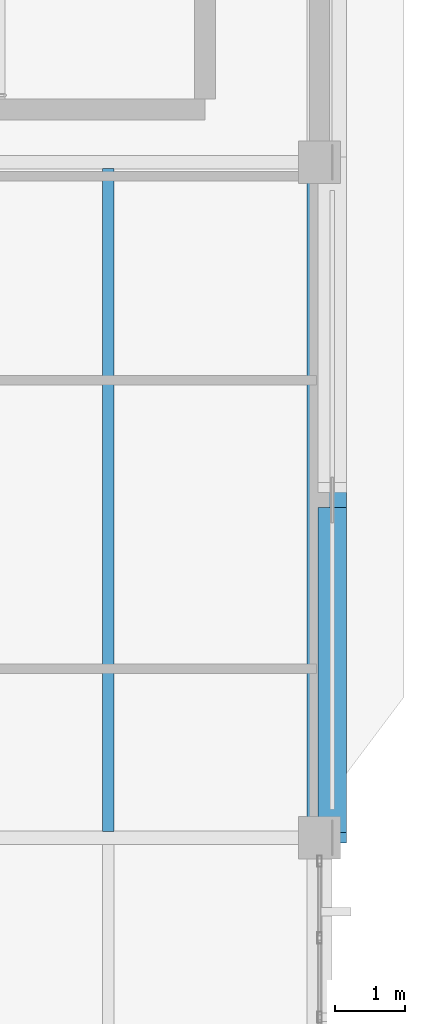
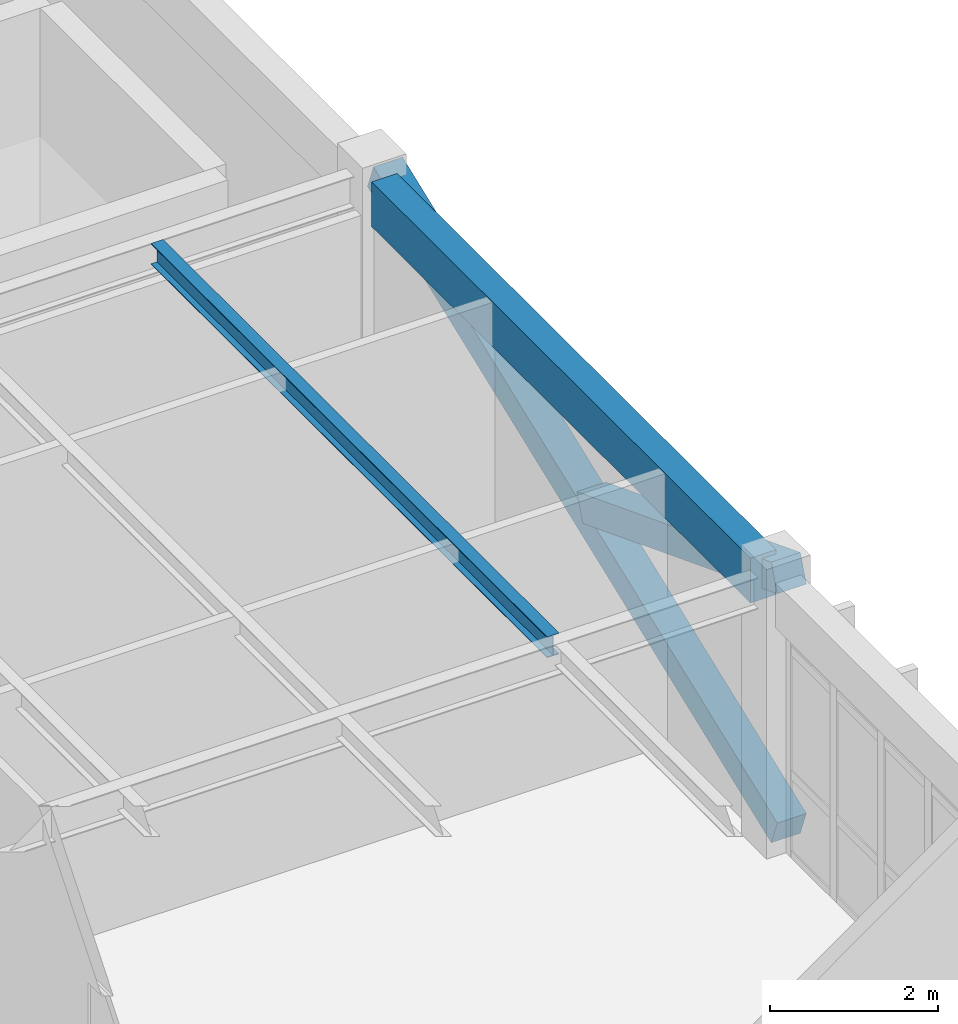
# One storey, part 15 of 37: 2 beams, 2 members.
"""IFC4 building model written with IfcOpenShell, lengths in metres."""

from ifc_helpers import new_model, si_unit, direction, frame, origin, origin_2d, place, context, subcontext, project, spatial, rectangle, i_section, extrude, material, material_profile, profile_set, type_object, element, save


model = new_model("IFC4")

# Units and contexts
model_context = context("Model", 3, precision=1e-05, world=origin(), true_north=direction((0.0, 1.0)))
body_context = subcontext(model_context, "Body", "Model", "MODEL_VIEW")
ifc_project = project(units=[si_unit("LENGTHUNIT", "METRE"), si_unit("AREAUNIT", "SQUARE_METRE"), si_unit("VOLUMEUNIT", "CUBIC_METRE"), si_unit("PLANEANGLEUNIT", "RADIAN"), si_unit("MASSUNIT", "GRAM", prefix="KILO")], contexts=[model_context])

# Site, building, storey
site_placement = place(None, origin())
site = spatial("IfcSite", under=ifc_project, at=site_placement, CompositionType="ELEMENT")
building_placement = place(site_placement, origin())
building = spatial("IfcBuilding", under=site, at=building_placement, Name="Pandanus Reach Market Hall", CompositionType="ELEMENT")
storey_placement = place(building_placement, frame((0.0, 0.0, 14.39990234375)))
storey = spatial("IfcBuildingStorey", under=building, at=storey_placement, Name="L03", CompositionType="ELEMENT", Elevation=14.39990234375)

# Beams
ifc_material_1 = material(Name="Concrete N40 (40 MPa)", Category="concrete")
ifc_material_profile_1 = material_profile(ifc_material_1, rectangle(XDim=0.35009765625, YDim=0.64990234375, at=origin_2d()), Name="RC350x650", Category="LoadBearing")
ifc_profile_set_1 = profile_set([ifc_material_profile_1], Name="Concrete N40 (40 MPa)")
beam_type_1 = type_object("IfcBeamType", Name="BM-RC350-E", PredefinedType="SPANDREL", material=ifc_profile_set_1)
beam_1_placement = place(storey_placement, frame((180.0, 57.89794921875, 3.635009765625), z_axis=(0.0, 1.0, 0.0), x_axis=(-1.0, 0.0, 0.0)))
element("IfcBeam", 1, at=beam_1_placement, inside=storey, type_object=beam_type_1, Name="Framing beam BM-RC350-E L03.572", PredefinedType="SPANDREL", context=body_context, shape_type="SweptSolid", body=[
    extrude(rectangle(XDim=0.35009765625, YDim=0.64990234375, at=origin_2d()), origin(), (0.0, 0.0, 1.0), 9.004150390625),
])
ifc_material_2 = material(Name="Steel Grade 350 (350 MPa)", Category="steel")
ifc_material_profile_2 = material_profile(ifc_material_2, i_section(OverallWidth=0.1650390625, OverallDepth=0.303955078125, WebThickness=0.006103515625, FlangeThickness=0.01025390625, at=origin_2d()), Name="310UB40.4", Category="LoadBearing")
ifc_profile_set_2 = profile_set([ifc_material_profile_2], Name="Steel Grade 350 (350 MPa)")
beam_type_2 = type_object("IfcBeamType", Name="JS-UB310-I", PredefinedType="JOIST", material=ifc_profile_set_2)
beam_2_placement = place(storey_placement, frame((177.0, 57.693115234375, 3.8076171875), z_axis=(0.0, 1.0, 0.0), x_axis=(-1.0, 0.0, 0.0)))
element("IfcBeam", 2, at=beam_2_placement, inside=storey, type_object=beam_type_2, Name="Secondary joist JS-UB310-I L03.609", PredefinedType="JOIST", context=body_context, shape_type="SweptSolid", body=[
    extrude(i_section(OverallWidth=0.1650390625, OverallDepth=0.303955078125, WebThickness=0.006103515625, FlangeThickness=0.01025390625, at=origin_2d()), origin(), (0.0, 0.0, 1.0), 9.413818359375),
])

# Members
ifc_material_3 = material(Name="Concrete N50 (50 MPa)", Category="concrete")
ifc_material_profile_3 = material_profile(ifc_material_3, rectangle(XDim=0.39990234375, YDim=0.39990234375, at=origin_2d()), Name="RC400x400", Category="LoadBearing")
ifc_profile_set_3 = profile_set([ifc_material_profile_3], Name="Concrete N50 (50 MPa)")
member_type = type_object("IfcMemberType", Name="VS-RC400-E", PredefinedType="STRUT", material=ifc_profile_set_3)
member_1_placement = place(storey_placement, frame((180.179931640625, 57.60009765625, 0.10009765625), z_axis=(0.0, 0.93309462138, 0.359630960225), x_axis=(-1.0, 0.0, 0.0)))
element("IfcMember", 3, at=member_1_placement, inside=storey, type_object=member_type, Name="Sculpted concrete diagrid rib 7", PredefinedType="STRUT", context=body_context, shape_type="SweptSolid", body=[
    extrude(rectangle(XDim=0.39990234375, YDim=0.39990234375, at=origin_2d()), origin(), (0.0, 0.0, 1.0), 10.2880859375),
])
member_2_placement = place(storey_placement, frame((180.179931640625, 62.219970703125, 2.02001953125), z_axis=(0.0, -0.933131925014, 0.359534157654), x_axis=(1.0, 0.0, 0.0)))
element("IfcMember", 4, at=member_2_placement, inside=storey, type_object=member_type, Name="Sculpted concrete diagrid rib 9", PredefinedType="STRUT", context=body_context, shape_type="SweptSolid", body=[
    extrude(rectangle(XDim=0.39990234375, YDim=0.39990234375, at=origin_2d()), origin(), (0.0, 0.0, 1.0), 4.950927734375),
])

save(model, "model.ifc")
